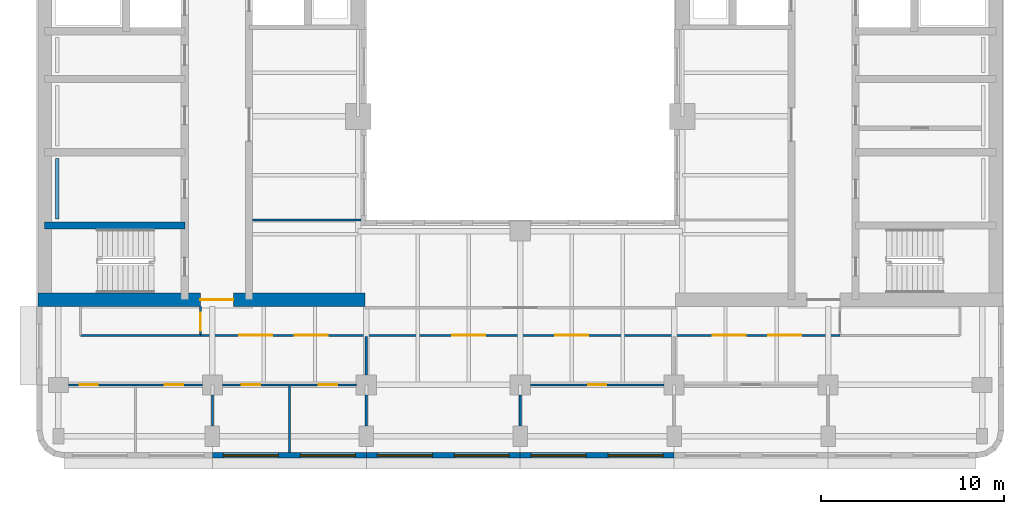
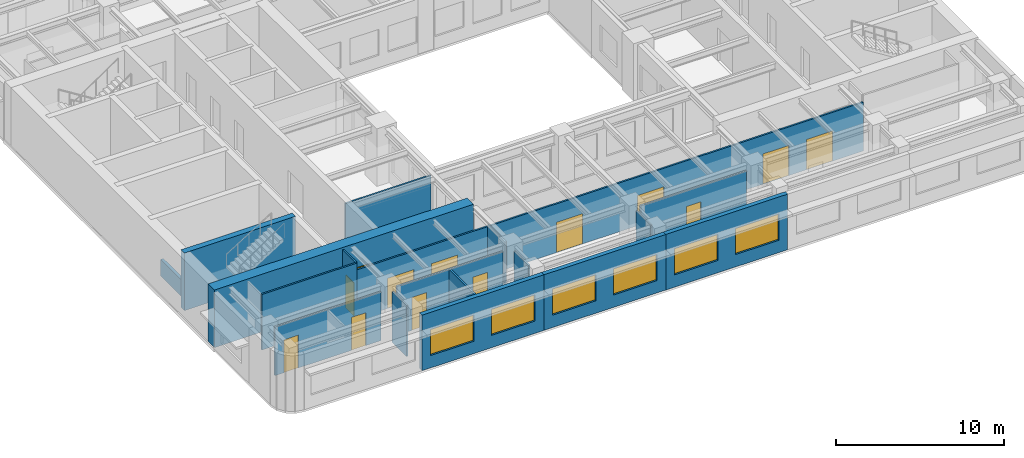
# One storey, part 3 of 11: 18 walls, 13 doors, 6 windows, 19 openings.
"""IFC4 building model written with IfcOpenShell, lengths in metres."""

from ifc_helpers import new_model, si_unit, direction, frame, frame_2d, origin, place, context, subcontext, project, spatial, rectangle, extrude, material, layer, layer_set, type_object, element, fill, save


model = new_model("IFC4")

# Units and contexts
model_context = context("Model", 3, precision=1e-05, world=origin(), true_north=direction((0.0, 1.0)))
body_context = subcontext(model_context, "Body", "Model", "MODEL_VIEW")
ifc_project = project(units=[si_unit("LENGTHUNIT", "METRE"), si_unit("AREAUNIT", "SQUARE_METRE"), si_unit("VOLUMEUNIT", "CUBIC_METRE"), si_unit("PLANEANGLEUNIT", "RADIAN"), si_unit("MASSUNIT", "GRAM", prefix="KILO")], contexts=[model_context])

# Site, building, storey
site_placement = place(None, origin())
site = spatial("IfcSite", under=ifc_project, at=site_placement, CompositionType="ELEMENT")
building_placement = place(site_placement, origin())
building = spatial("IfcBuilding", under=site, at=building_placement, Name="Claustro Exchange Tower", CompositionType="ELEMENT")
storey_placement = place(building_placement, frame((0.0, 0.0, 202.800048828125)))
storey = spatial("IfcBuildingStorey", under=building, at=storey_placement, Name="L46", CompositionType="ELEMENT", Elevation=202.800048828125)

# Wall
ifc_material_1 = material(Name="Laminated glass in aluminium frame", Category="aluminium")
ifc_layer_1 = layer(ifc_material_1, 0.1201171875)
ifc_layer_set_1 = layer_set([ifc_layer_1], Name="Laminated glass in aluminium frame")
wall_type_1 = type_object("IfcWallType", Name="P2 120 glazed partition", PredefinedType="PARTITIONING", material=ifc_layer_set_1)
wall_1_placement = place(storey_placement, frame((10.597900390625, 17.39990234375, 0.0), z_axis=(0.0, 0.0, 1.0), x_axis=(1.0, 0.0, 0.0)))
element("IfcWall", 1, at=wall_1_placement, inside=storey, type_object=wall_type_1, Name="Partition P2 L46", PredefinedType="PARTITIONING", context=body_context, shape_type="SweptSolid", body=[
    extrude(rectangle(XDim=5.904052734375, YDim=0.1201171875, at=frame_2d((2.9521484375, 0.0))), origin(), (0.0, 0.0, 1.0), 3.550048828125),
])

# Wall, openings, doors
wall_2_placement = place(storey_placement, frame((0.549072265625, 8.39990234375, 0.0), z_axis=(0.0, 0.0, 1.0), x_axis=(1.0, 0.0, 0.0)))
wall_2 = element("IfcWall", 2, at=wall_2_placement, inside=storey, type_object=wall_type_1, Name="Partition P2 L46", PredefinedType="PARTITIONING", context=body_context, shape_type="SweptSolid", body=[
    extrude(rectangle(XDim=7.302001953125, YDim=0.1201171875, at=frame_2d((3.65087890625, 0.0))), origin(), (0.0, 0.0, 1.0), 3.550048828125),
])
opening_1_placement = place(wall_2_placement, frame((0.60107421875, 0.0, 0.0)))
opening_1 = element("IfcOpeningElement", 3, at=opening_1_placement, cuts=wall_2, Name="Opening D7", PredefinedType="OPENING", context=body_context, shape_type="SweptSolid", body=[
    extrude(rectangle(XDim=1.0, YDim=2.39990234375, at=frame_2d((0.5, 1.199951171875))), frame((0.0, 0.070068359375, 0.0), z_axis=(0.0, -1.0, 0.0), x_axis=(1.0, 0.0, 0.0)), (0.0, 0.0, 1.0), 0.14013671875),
])
opening_2_placement = place(wall_2_placement, frame((5.2509765625, 0.0, 0.0)))
opening_2 = element("IfcOpeningElement", 4, at=opening_2_placement, cuts=wall_2, Name="Opening D7", PredefinedType="OPENING", context=body_context, shape_type="SweptSolid", body=[
    extrude(rectangle(XDim=1.0, YDim=2.39990234375, at=frame_2d((0.5, 1.199951171875))), frame((0.0, 0.070068359375, 0.0), z_axis=(0.0, -1.0, 0.0), x_axis=(1.0, 0.0, 0.0)), (0.0, 0.0, 1.0), 0.14013671875),
])
ifc_material_2 = material(Name="Glass door in aluminium frame", Category="aluminium")
door_type_1 = type_object("IfcDoorType", Name="D7 1000 x 2400 glazed door", OperationType="SINGLE_SWING_LEFT", PredefinedType="DOOR", material=ifc_material_2)
door_1_placement = place(opening_1_placement, frame((1.0, 0.0, 0.0), z_axis=(0.0, 0.0, 1.0), x_axis=(-1.0, 0.0, 0.0)))
door_1 = element("IfcDoor", 5, at=door_1_placement, inside=storey, type_object=door_type_1, Name="Door D7 L46", OperationType="SINGLE_SWING_LEFT", OverallHeight=2.39990234375, OverallWidth=1.0, PredefinedType="DOOR", context=body_context, shape_type="SweptSolid", body=[
    extrude(rectangle(XDim=1.0, YDim=2.39990234375, at=frame_2d((0.5, 1.199951171875))), frame((0.0, 0.02490234375, 0.0), z_axis=(0.0, -1.0, 0.0), x_axis=(1.0, 0.0, 0.0)), (0.0, 0.0, 1.0), 0.050048828125),
])
fill(opening_1, door_1)
door_2_placement = place(opening_2_placement, frame((1.0, 0.0, 0.0), z_axis=(0.0, 0.0, 1.0), x_axis=(-1.0, 0.0, 0.0)))
door_2 = element("IfcDoor", 6, at=door_2_placement, inside=storey, type_object=door_type_1, Name="Door D7 L46", OperationType="SINGLE_SWING_LEFT", OverallHeight=2.39990234375, OverallWidth=1.0, PredefinedType="DOOR", context=body_context, shape_type="SweptSolid", body=[
    extrude(rectangle(XDim=1.0, YDim=2.39990234375, at=frame_2d((0.5, 1.199951171875))), frame((0.0, 0.02490234375, 0.0), z_axis=(0.0, -1.0, 0.0), x_axis=(1.0, 0.0, 0.0)), (0.0, 0.0, 1.0), 0.050048828125),
])
fill(opening_2, door_2)

wall_3_placement = place(storey_placement, frame((8.948974609375, 8.39990234375, 0.0), z_axis=(0.0, 0.0, 1.0), x_axis=(1.0, 0.0, 0.0)))
wall_3 = element("IfcWall", 7, at=wall_3_placement, inside=storey, type_object=wall_type_1, Name="Partition P2 L46", PredefinedType="PARTITIONING", context=body_context, shape_type="SweptSolid", body=[
    extrude(rectangle(XDim=7.302001953125, YDim=0.1201171875, at=frame_2d((3.65087890625, 0.0))), origin(), (0.0, 0.0, 1.0), 3.550048828125),
])
opening_3_placement = place(wall_3_placement, frame((1.051025390625, 0.0, 0.0)))
opening_3 = element("IfcOpeningElement", 8, at=opening_3_placement, cuts=wall_3, Name="Opening D7", PredefinedType="OPENING", context=body_context, shape_type="SweptSolid", body=[
    extrude(rectangle(XDim=1.0, YDim=2.39990234375, at=frame_2d((0.5, 1.199951171875))), frame((0.0, 0.070068359375, 0.0), z_axis=(0.0, -1.0, 0.0), x_axis=(1.0, 0.0, 0.0)), (0.0, 0.0, 1.0), 0.14013671875),
])
opening_4_placement = place(wall_3_placement, frame((5.2509765625, 0.0, 0.0)))
opening_4 = element("IfcOpeningElement", 9, at=opening_4_placement, cuts=wall_3, Name="Opening D7", PredefinedType="OPENING", context=body_context, shape_type="SweptSolid", body=[
    extrude(rectangle(XDim=1.0, YDim=2.39990234375, at=frame_2d((0.5, 1.199951171875))), frame((0.0, 0.070068359375, 0.0), z_axis=(0.0, -1.0, 0.0), x_axis=(1.0, 0.0, 0.0)), (0.0, 0.0, 1.0), 0.14013671875),
])
door_3_placement = place(opening_3_placement, frame((1.0, 0.0, 0.0), z_axis=(0.0, 0.0, 1.0), x_axis=(-1.0, 0.0, 0.0)))
door_3 = element("IfcDoor", 10, at=door_3_placement, inside=storey, type_object=door_type_1, Name="Door D7 L46", OperationType="SINGLE_SWING_RIGHT", OverallHeight=2.39990234375, OverallWidth=1.0, PredefinedType="DOOR", context=body_context, shape_type="SweptSolid", body=[
    extrude(rectangle(XDim=1.0, YDim=2.39990234375, at=frame_2d((0.5, 1.199951171875))), frame((0.0, 0.02490234375, 0.0), z_axis=(0.0, -1.0, 0.0), x_axis=(1.0, 0.0, 0.0)), (0.0, 0.0, 1.0), 0.050048828125),
])
fill(opening_3, door_3)
door_4_placement = place(opening_4_placement, frame((1.0, 0.0, 0.0), z_axis=(0.0, 0.0, 1.0), x_axis=(-1.0, 0.0, 0.0)))
door_4 = element("IfcDoor", 11, at=door_4_placement, inside=storey, type_object=door_type_1, Name="Door D7 L46", OperationType="SINGLE_SWING_RIGHT", OverallHeight=2.39990234375, OverallWidth=1.0, PredefinedType="DOOR", context=body_context, shape_type="SweptSolid", body=[
    extrude(rectangle(XDim=1.0, YDim=2.39990234375, at=frame_2d((0.5, 1.199951171875))), frame((0.0, 0.02490234375, 0.0), z_axis=(0.0, -1.0, 0.0), x_axis=(1.0, 0.0, 0.0)), (0.0, 0.0, 1.0), 0.050048828125),
])
fill(opening_4, door_4)

# Walls
wall_4_placement = place(storey_placement, frame((8.39990234375, 6.14892578125, 0.0), z_axis=(0.0, 0.0, 1.0), x_axis=(0.0, 1.0, 0.0)))
element("IfcWall", 12, at=wall_4_placement, inside=storey, type_object=wall_type_1, Name="Partition P2 L46", PredefinedType="PARTITIONING", context=body_context, shape_type="SweptSolid", body=[
    extrude(rectangle(XDim=1.7021484375, YDim=0.1201171875, at=frame_2d((0.85107421875, 0.0))), origin(), (0.0, 0.0, 1.0), 3.68994140625),
])
wall_5_placement = place(storey_placement, frame((12.60009765625, 4.699951171875, 0.0), z_axis=(0.0, 0.0, 1.0), x_axis=(0.0, 1.0, 0.0)))
element("IfcWall", 13, at=wall_5_placement, inside=storey, type_object=wall_type_1, Name="Partition P2 L46", PredefinedType="PARTITIONING", context=body_context, shape_type="SweptSolid", body=[
    extrude(rectangle(XDim=3.64208984375, YDim=0.1201171875, at=frame_2d((1.821044921875, 0.0))), origin(), (0.0, 0.0, 1.0), 3.550048828125),
])
wall_6_placement = place(storey_placement, frame((16.800048828125, 6.14892578125, 0.0), z_axis=(0.0, 0.0, 1.0), x_axis=(0.0, 1.0, 0.0)))
element("IfcWall", 14, at=wall_6_placement, inside=storey, type_object=wall_type_1, Name="Partition P2 L46", PredefinedType="PARTITIONING", context=body_context, shape_type="SweptSolid", body=[
    extrude(rectangle(XDim=1.7021484375, YDim=0.1201171875, at=frame_2d((0.85107421875, 0.0))), origin(), (0.0, 0.0, 1.0), 3.68994140625),
])

# Wall, opening, door
wall_7_placement = place(storey_placement, frame((25.7490234375, 8.39990234375, 0.0), z_axis=(0.0, 0.0, 1.0), x_axis=(1.0, 0.0, 0.0)))
wall_7 = element("IfcWall", 15, at=wall_7_placement, inside=storey, type_object=wall_type_1, Name="Partition P2 L46", PredefinedType="PARTITIONING", context=body_context, shape_type="SweptSolid", body=[
    extrude(rectangle(XDim=7.302001953125, YDim=0.1201171875, at=frame_2d((3.65087890625, 0.0))), origin(), (0.0, 0.0, 1.0), 3.550048828125),
])
opening_5_placement = place(wall_7_placement, frame((3.15087890625, 0.0, 0.0)))
opening_5 = element("IfcOpeningElement", 16, at=opening_5_placement, cuts=wall_7, Name="Opening D7", PredefinedType="OPENING", context=body_context, shape_type="SweptSolid", body=[
    extrude(rectangle(XDim=1.0, YDim=2.39990234375, at=frame_2d((0.5, 1.199951171875))), frame((0.0, 0.070068359375, 0.0), z_axis=(0.0, -1.0, 0.0), x_axis=(1.0, 0.0, 0.0)), (0.0, 0.0, 1.0), 0.14013671875),
])
door_5_placement = place(opening_5_placement, frame((1.0, 0.0, 0.0), z_axis=(0.0, 0.0, 1.0), x_axis=(-1.0, 0.0, 0.0)))
door_5 = element("IfcDoor", 17, at=door_5_placement, inside=storey, type_object=door_type_1, Name="Door D7 L46", OperationType="SINGLE_SWING_RIGHT", OverallHeight=2.39990234375, OverallWidth=1.0, PredefinedType="DOOR", context=body_context, shape_type="SweptSolid", body=[
    extrude(rectangle(XDim=1.0, YDim=2.39990234375, at=frame_2d((0.5, 1.199951171875))), frame((0.0, 0.02490234375, 0.0), z_axis=(0.0, -1.0, 0.0), x_axis=(1.0, 0.0, 0.0)), (0.0, 0.0, 1.0), 0.050048828125),
])
fill(opening_5, door_5)

# Walls
wall_8_placement = place(storey_placement, frame((25.199951171875, 6.14892578125, 0.0), z_axis=(0.0, 0.0, 1.0), x_axis=(0.0, 1.0, 0.0)))
element("IfcWall", 18, at=wall_8_placement, inside=storey, type_object=wall_type_1, Name="Partition P2 L46", PredefinedType="PARTITIONING", context=body_context, shape_type="SweptSolid", body=[
    extrude(rectangle(XDim=1.7021484375, YDim=0.1201171875, at=frame_2d((0.85107421875, 0.0))), origin(), (0.0, 0.0, 1.0), 3.68994140625),
])
wall_9_placement = place(storey_placement, frame((16.800048828125, 8.948974609375, 0.0), z_axis=(0.0, 0.0, 1.0), x_axis=(0.0, 1.0, 0.0)))
element("IfcWall", 19, at=wall_9_placement, inside=storey, type_object=wall_type_1, Name="Partition P2 L46", PredefinedType="PARTITIONING", context=body_context, shape_type="SweptSolid", body=[
    extrude(rectangle(XDim=2.093017578125, YDim=0.1201171875, at=frame_2d((1.04638671875, 0.0))), origin(), (0.0, 0.0, 1.0), 3.68994140625),
])

# Wall, openings, doors
wall_10_placement = place(storey_placement, frame((7.748046875, 11.10009765625, 0.0), z_axis=(0.0, 0.0, 1.0), x_axis=(1.0, 0.0, 0.0)))
wall_10 = element("IfcWall", 20, at=wall_10_placement, inside=storey, type_object=wall_type_1, Name="Partition P2 L46", PredefinedType="PARTITIONING", context=body_context, shape_type="SweptSolid", body=[
    extrude(rectangle(XDim=34.904052734375, YDim=0.1201171875, at=frame_2d((17.4521484375, 0.0))), origin(), (0.0, 0.0, 1.0), 3.550048828125),
])
opening_6_placement = place(wall_10_placement, frame((2.11865234375, 0.0, 0.0)))
opening_6 = element("IfcOpeningElement", 21, at=opening_6_placement, cuts=wall_10, Name="Opening D2", PredefinedType="OPENING", context=body_context, shape_type="SweptSolid", body=[
    extrude(rectangle(XDim=1.800048828125, YDim=2.199951171875, at=frame_2d((0.89990234375, 1.10009765625))), frame((0.0, 0.070068359375, 0.0), z_axis=(0.0, -1.0, 0.0), x_axis=(1.0, 0.0, 0.0)), (0.0, 0.0, 1.0), 0.14013671875),
])
opening_7_placement = place(wall_10_placement, frame((5.13525390625, 0.0, 0.0)))
opening_7 = element("IfcOpeningElement", 22, at=opening_7_placement, cuts=wall_10, Name="Opening D2", PredefinedType="OPENING", context=body_context, shape_type="SweptSolid", body=[
    extrude(rectangle(XDim=1.800048828125, YDim=2.199951171875, at=frame_2d((0.89990234375, 1.10009765625))), frame((0.0, 0.070068359375, 0.0), z_axis=(0.0, -1.0, 0.0), x_axis=(1.0, 0.0, 0.0)), (0.0, 0.0, 1.0), 0.14013671875),
])
opening_8_placement = place(wall_10_placement, frame((13.751953125, 0.0, 0.0)))
opening_8 = element("IfcOpeningElement", 23, at=opening_8_placement, cuts=wall_10, Name="Opening D2", PredefinedType="OPENING", context=body_context, shape_type="SweptSolid", body=[
    extrude(rectangle(XDim=1.800048828125, YDim=2.199951171875, at=frame_2d((0.89990234375, 1.10009765625))), frame((0.0, 0.070068359375, 0.0), z_axis=(0.0, -1.0, 0.0), x_axis=(1.0, 0.0, 0.0)), (0.0, 0.0, 1.0), 0.14013671875),
])
opening_9_placement = place(wall_10_placement, frame((19.35205078125, 0.0, 0.0)))
opening_9 = element("IfcOpeningElement", 24, at=opening_9_placement, cuts=wall_10, Name="Opening D2", PredefinedType="OPENING", context=body_context, shape_type="SweptSolid", body=[
    extrude(rectangle(XDim=1.800048828125, YDim=2.199951171875, at=frame_2d((0.89990234375, 1.10009765625))), frame((0.0, 0.070068359375, 0.0), z_axis=(0.0, -1.0, 0.0), x_axis=(1.0, 0.0, 0.0)), (0.0, 0.0, 1.0), 0.14013671875),
])
opening_10_placement = place(wall_10_placement, frame((27.96875, 0.0, 0.0)))
opening_10 = element("IfcOpeningElement", 25, at=opening_10_placement, cuts=wall_10, Name="Opening D2", PredefinedType="OPENING", context=body_context, shape_type="SweptSolid", body=[
    extrude(rectangle(XDim=1.800048828125, YDim=2.199951171875, at=frame_2d((0.89990234375, 1.10009765625))), frame((0.0, 0.070068359375, 0.0), z_axis=(0.0, -1.0, 0.0), x_axis=(1.0, 0.0, 0.0)), (0.0, 0.0, 1.0), 0.14013671875),
])
opening_11_placement = place(wall_10_placement, frame((30.9853515625, 0.0, 0.0)))
opening_11 = element("IfcOpeningElement", 26, at=opening_11_placement, cuts=wall_10, Name="Opening D2", PredefinedType="OPENING", context=body_context, shape_type="SweptSolid", body=[
    extrude(rectangle(XDim=1.800048828125, YDim=2.199951171875, at=frame_2d((0.89990234375, 1.10009765625))), frame((0.0, 0.070068359375, 0.0), z_axis=(0.0, -1.0, 0.0), x_axis=(1.0, 0.0, 0.0)), (0.0, 0.0, 1.0), 0.14013671875),
])
ifc_material_3 = material(Name="Timber door, oak veneer", Category="wood")
door_type_2 = type_object("IfcDoorType", Name="D2 1800 x 2200 double door", OperationType="DOUBLE_DOOR_SINGLE_SWING", PredefinedType="DOOR", material=ifc_material_3)
door_6_placement = place(opening_6_placement, frame((1.800048828125, 0.0, 0.0), z_axis=(0.0, 0.0, 1.0), x_axis=(-1.0, 0.0, 0.0)))
door_6 = element("IfcDoor", 27, at=door_6_placement, inside=storey, type_object=door_type_2, Name="Double door D2 L46", OperationType="DOUBLE_DOOR_SINGLE_SWING", OverallHeight=2.199951171875, OverallWidth=1.800048828125, PredefinedType="DOOR", context=body_context, shape_type="SweptSolid", body=[
    extrude(rectangle(XDim=1.800048828125, YDim=2.199951171875, at=frame_2d((0.89990234375, 1.10009765625))), frame((0.0, 0.02490234375, 0.0), z_axis=(0.0, -1.0, 0.0), x_axis=(1.0, 0.0, 0.0)), (0.0, 0.0, 1.0), 0.050048828125),
])
fill(opening_6, door_6)
door_7_placement = place(opening_7_placement, frame((1.800048828125, 0.0, 0.0), z_axis=(0.0, 0.0, 1.0), x_axis=(-1.0, 0.0, 0.0)))
door_7 = element("IfcDoor", 28, at=door_7_placement, inside=storey, type_object=door_type_2, Name="Double door D2 L46", OperationType="DOUBLE_DOOR_SINGLE_SWING", OverallHeight=2.199951171875, OverallWidth=1.800048828125, PredefinedType="DOOR", context=body_context, shape_type="SweptSolid", body=[
    extrude(rectangle(XDim=1.800048828125, YDim=2.199951171875, at=frame_2d((0.89990234375, 1.10009765625))), frame((0.0, 0.02490234375, 0.0), z_axis=(0.0, -1.0, 0.0), x_axis=(1.0, 0.0, 0.0)), (0.0, 0.0, 1.0), 0.050048828125),
])
fill(opening_7, door_7)
door_8_placement = place(opening_8_placement, frame((1.800048828125, 0.0, 0.0), z_axis=(0.0, 0.0, 1.0), x_axis=(-1.0, 0.0, 0.0)))
door_8 = element("IfcDoor", 29, at=door_8_placement, inside=storey, type_object=door_type_2, Name="Double door D2 L46", OperationType="DOUBLE_DOOR_SINGLE_SWING", OverallHeight=2.199951171875, OverallWidth=1.800048828125, PredefinedType="DOOR", context=body_context, shape_type="SweptSolid", body=[
    extrude(rectangle(XDim=1.800048828125, YDim=2.199951171875, at=frame_2d((0.89990234375, 1.10009765625))), frame((0.0, 0.02490234375, 0.0), z_axis=(0.0, -1.0, 0.0), x_axis=(1.0, 0.0, 0.0)), (0.0, 0.0, 1.0), 0.050048828125),
])
fill(opening_8, door_8)
door_9_placement = place(opening_9_placement, frame((1.800048828125, 0.0, 0.0), z_axis=(0.0, 0.0, 1.0), x_axis=(-1.0, 0.0, 0.0)))
door_9 = element("IfcDoor", 30, at=door_9_placement, inside=storey, type_object=door_type_2, Name="Double door D2 L46", OperationType="DOUBLE_DOOR_SINGLE_SWING", OverallHeight=2.199951171875, OverallWidth=1.800048828125, PredefinedType="DOOR", context=body_context, shape_type="SweptSolid", body=[
    extrude(rectangle(XDim=1.800048828125, YDim=2.199951171875, at=frame_2d((0.89990234375, 1.10009765625))), frame((0.0, 0.02490234375, 0.0), z_axis=(0.0, -1.0, 0.0), x_axis=(1.0, 0.0, 0.0)), (0.0, 0.0, 1.0), 0.050048828125),
])
fill(opening_9, door_9)
door_10_placement = place(opening_10_placement, frame((1.800048828125, 0.0, 0.0), z_axis=(0.0, 0.0, 1.0), x_axis=(-1.0, 0.0, 0.0)))
door_10 = element("IfcDoor", 31, at=door_10_placement, inside=storey, type_object=door_type_2, Name="Double door D2 L46", OperationType="DOUBLE_DOOR_SINGLE_SWING", OverallHeight=2.199951171875, OverallWidth=1.800048828125, PredefinedType="DOOR", context=body_context, shape_type="SweptSolid", body=[
    extrude(rectangle(XDim=1.800048828125, YDim=2.199951171875, at=frame_2d((0.89990234375, 1.10009765625))), frame((0.0, 0.02490234375, 0.0), z_axis=(0.0, -1.0, 0.0), x_axis=(1.0, 0.0, 0.0)), (0.0, 0.0, 1.0), 0.050048828125),
])
fill(opening_10, door_10)
door_11_placement = place(opening_11_placement, frame((1.800048828125, 0.0, 0.0), z_axis=(0.0, 0.0, 1.0), x_axis=(-1.0, 0.0, 0.0)))
door_11 = element("IfcDoor", 32, at=door_11_placement, inside=storey, type_object=door_type_2, Name="Double door D2 L46", OperationType="DOUBLE_DOOR_SINGLE_SWING", OverallHeight=2.199951171875, OverallWidth=1.800048828125, PredefinedType="DOOR", context=body_context, shape_type="SweptSolid", body=[
    extrude(rectangle(XDim=1.800048828125, YDim=2.199951171875, at=frame_2d((0.89990234375, 1.10009765625))), frame((0.0, 0.02490234375, 0.0), z_axis=(0.0, -1.0, 0.0), x_axis=(1.0, 0.0, 0.0)), (0.0, 0.0, 1.0), 0.050048828125),
])
fill(opening_11, door_11)

# Wall, opening, door
wall_11_placement = place(storey_placement, frame((7.75, 11.157958984375, 0.0), z_axis=(0.0, 0.0, 1.0), x_axis=(0.0, 1.0, 0.0)))
wall_11 = element("IfcWall", 33, at=wall_11_placement, inside=storey, type_object=wall_type_1, Name="Partition P2 L46", PredefinedType="PARTITIONING", context=body_context, shape_type="SweptSolid", body=[
    extrude(rectangle(XDim=1.51806640625, YDim=0.1201171875, at=frame_2d((0.759033203125, 0.0))), origin(), (0.0, 0.0, 1.0), 4.050048828125),
])
opening_12_placement = place(wall_11_placement, frame((0.19189453125, 0.0, 0.0)))
opening_12 = element("IfcOpeningElement", 34, at=opening_12_placement, cuts=wall_11, Name="Opening D7", PredefinedType="OPENING", context=body_context, shape_type="SweptSolid", body=[
    extrude(rectangle(XDim=1.0, YDim=2.39990234375, at=frame_2d((0.5, 1.199951171875))), frame((0.0, 0.070068359375, 0.0), z_axis=(0.0, -1.0, 0.0), x_axis=(1.0, 0.0, 0.0)), (0.0, 0.0, 1.0), 0.14013671875),
])
door_12_placement = place(opening_12_placement, origin())
door_12 = element("IfcDoor", 35, at=door_12_placement, inside=storey, type_object=door_type_1, Name="Door D7 L46", OperationType="SINGLE_SWING_LEFT", OverallHeight=2.39990234375, OverallWidth=1.0, PredefinedType="DOOR", context=body_context, shape_type="SweptSolid", body=[
    extrude(rectangle(XDim=1.0, YDim=2.39990234375, at=frame_2d((0.5, 1.199951171875))), frame((0.0, 0.02490234375, 0.0), z_axis=(0.0, -1.0, 0.0), x_axis=(1.0, 0.0, 0.0)), (0.0, 0.0, 1.0), 0.050048828125),
])
fill(opening_12, door_12)

# Wall
wall_12_placement = place(storey_placement, frame((1.199951171875, 11.10009765625, 0.0), z_axis=(0.0, 0.0, 1.0), x_axis=(1.0, 0.0, 0.0)))
element("IfcWall", 36, at=wall_12_placement, inside=storey, type_object=wall_type_1, Name="Partition P2 L46", PredefinedType="PARTITIONING", context=body_context, shape_type="SweptSolid", body=[
    extrude(rectangle(XDim=6.552001953125, YDim=0.1201171875, at=frame_2d((3.27587890625, 0.0))), origin(), (0.0, 0.0, 1.0), 4.050048828125),
])

# Wall, openings, windows
ifc_material_4 = material(Name="Concrete HA-40 (C40/50), precast, white cement, acid-etched", Category="concrete")
ifc_layer_2 = layer(ifc_material_4, 0.300048828125)
ifc_layer_set_2 = layer_set([ifc_layer_2], Name="Concrete HA-40 (C40/50), precast, white cement, acid-etched")
wall_type_2 = type_object("IfcWallType", Name="PC1 300 precast concrete pier panel", PredefinedType="SOLIDWALL", material=ifc_layer_set_2)
wall_13_placement = place(storey_placement, frame((33.60009765625, 4.550048828125, 0.0), z_axis=(0.0, 0.0, 1.0), x_axis=(-1.0, 0.0, 0.0)))
wall_13 = element("IfcWall", 37, at=wall_13_placement, inside=storey, type_object=wall_type_2, Name="Precast pier panel PC1 L46", PredefinedType="SOLIDWALL", context=body_context, shape_type="SweptSolid", body=[
    extrude(rectangle(XDim=8.400146484375, YDim=0.300048828125, at=frame_2d((4.2001953125, 0.0))), origin(), (0.0, 0.0, 1.0), 4.050048828125),
])
opening_13_placement = place(wall_13_placement, frame((0.60009765625, 0.0, 0.89990234375)))
opening_13 = element("IfcOpeningElement", 38, at=opening_13_placement, cuts=wall_13, Name="Opening W1", PredefinedType="OPENING", context=body_context, shape_type="SweptSolid", body=[
    extrude(rectangle(XDim=3.0, YDim=1.89990234375, at=frame_2d((1.5, 0.949951171875))), frame((0.0, 0.159912109375, 0.0), z_axis=(0.0, -1.0, 0.0), x_axis=(1.0, 0.0, 0.0)), (0.0, 0.0, 1.0), 0.320068359375),
])
opening_14_placement = place(wall_13_placement, frame((4.800048828125, 0.0, 0.89990234375)))
opening_14 = element("IfcOpeningElement", 39, at=opening_14_placement, cuts=wall_13, Name="Opening W1", PredefinedType="OPENING", context=body_context, shape_type="SweptSolid", body=[
    extrude(rectangle(XDim=3.0, YDim=1.89990234375, at=frame_2d((1.5, 0.949951171875))), frame((0.0, 0.159912109375, 0.0), z_axis=(0.0, -1.0, 0.0), x_axis=(1.0, 0.0, 0.0)), (0.0, 0.0, 1.0), 0.320068359375),
])
ifc_material_5 = material(Name="Aluminium frame, clear double glazing", Category="aluminium")
window_type = type_object("IfcWindowType", Name="W1 3000 x 1900 window", PartitioningType="SINGLE_PANEL", PredefinedType="WINDOW", material=ifc_material_5)
window_1_placement = place(opening_13_placement, origin())
window_1 = element("IfcWindow", 40, at=window_1_placement, inside=storey, type_object=window_type, Name="Window W1 L46", OverallHeight=1.89990234375, OverallWidth=3.0, PartitioningType="SINGLE_PANEL", PredefinedType="WINDOW", context=body_context, shape_type="SweptSolid", body=[
    extrude(rectangle(XDim=3.0, YDim=1.89990234375, at=frame_2d((1.5, 0.949951171875))), frame((0.0, 0.030029296875, 0.0), z_axis=(0.0, -1.0, 0.0), x_axis=(1.0, 0.0, 0.0)), (0.0, 0.0, 1.0), 0.06005859375),
])
fill(opening_13, window_1)
window_2_placement = place(opening_14_placement, origin())
window_2 = element("IfcWindow", 41, at=window_2_placement, inside=storey, type_object=window_type, Name="Window W1 L46", OverallHeight=1.89990234375, OverallWidth=3.0, PartitioningType="SINGLE_PANEL", PredefinedType="WINDOW", context=body_context, shape_type="SweptSolid", body=[
    extrude(rectangle(XDim=3.0, YDim=1.89990234375, at=frame_2d((1.5, 0.949951171875))), frame((0.0, 0.030029296875, 0.0), z_axis=(0.0, -1.0, 0.0), x_axis=(1.0, 0.0, 0.0)), (0.0, 0.0, 1.0), 0.06005859375),
])
fill(opening_14, window_2)

wall_14_placement = place(storey_placement, frame((25.199951171875, 4.550048828125, 0.0), z_axis=(0.0, 0.0, 1.0), x_axis=(-1.0, 0.0, 0.0)))
wall_14 = element("IfcWall", 42, at=wall_14_placement, inside=storey, type_object=wall_type_2, Name="Precast pier panel PC1 L46", PredefinedType="SOLIDWALL", context=body_context, shape_type="SweptSolid", body=[
    extrude(rectangle(XDim=8.39990234375, YDim=0.300048828125, at=frame_2d((4.199951171875, 0.0))), origin(), (0.0, 0.0, 1.0), 4.050048828125),
])
opening_15_placement = place(wall_14_placement, frame((0.60009765625, 0.0, 0.89990234375)))
opening_15 = element("IfcOpeningElement", 43, at=opening_15_placement, cuts=wall_14, Name="Opening W1", PredefinedType="OPENING", context=body_context, shape_type="SweptSolid", body=[
    extrude(rectangle(XDim=3.0, YDim=1.89990234375, at=frame_2d((1.5, 0.949951171875))), frame((0.0, 0.159912109375, 0.0), z_axis=(0.0, -1.0, 0.0), x_axis=(1.0, 0.0, 0.0)), (0.0, 0.0, 1.0), 0.320068359375),
])
opening_16_placement = place(wall_14_placement, frame((4.800048828125, 0.0, 0.89990234375)))
opening_16 = element("IfcOpeningElement", 44, at=opening_16_placement, cuts=wall_14, Name="Opening W1", PredefinedType="OPENING", context=body_context, shape_type="SweptSolid", body=[
    extrude(rectangle(XDim=3.0, YDim=1.89990234375, at=frame_2d((1.5, 0.949951171875))), frame((0.0, 0.159912109375, 0.0), z_axis=(0.0, -1.0, 0.0), x_axis=(1.0, 0.0, 0.0)), (0.0, 0.0, 1.0), 0.320068359375),
])
window_3_placement = place(opening_15_placement, origin())
window_3 = element("IfcWindow", 45, at=window_3_placement, inside=storey, type_object=window_type, Name="Window W1 L46", OverallHeight=1.89990234375, OverallWidth=3.0, PartitioningType="SINGLE_PANEL", PredefinedType="WINDOW", context=body_context, shape_type="SweptSolid", body=[
    extrude(rectangle(XDim=3.0, YDim=1.89990234375, at=frame_2d((1.5, 0.949951171875))), frame((0.0, 0.030029296875, 0.0), z_axis=(0.0, -1.0, 0.0), x_axis=(1.0, 0.0, 0.0)), (0.0, 0.0, 1.0), 0.06005859375),
])
fill(opening_15, window_3)
window_4_placement = place(opening_16_placement, origin())
window_4 = element("IfcWindow", 46, at=window_4_placement, inside=storey, type_object=window_type, Name="Window W1 L46", OverallHeight=1.89990234375, OverallWidth=3.0, PartitioningType="SINGLE_PANEL", PredefinedType="WINDOW", context=body_context, shape_type="SweptSolid", body=[
    extrude(rectangle(XDim=3.0, YDim=1.89990234375, at=frame_2d((1.5, 0.949951171875))), frame((0.0, 0.030029296875, 0.0), z_axis=(0.0, -1.0, 0.0), x_axis=(1.0, 0.0, 0.0)), (0.0, 0.0, 1.0), 0.06005859375),
])
fill(opening_16, window_4)

wall_15_placement = place(storey_placement, frame((16.800048828125, 4.550048828125, 0.0), z_axis=(0.0, 0.0, 1.0), x_axis=(-1.0, 0.0, 0.0)))
wall_15 = element("IfcWall", 47, at=wall_15_placement, inside=storey, type_object=wall_type_2, Name="Precast pier panel PC1 L46", PredefinedType="SOLIDWALL", context=body_context, shape_type="SweptSolid", body=[
    extrude(rectangle(XDim=8.400146484375, YDim=0.300048828125, at=frame_2d((4.2001953125, 0.0))), origin(), (0.0, 0.0, 1.0), 4.050048828125),
])
opening_17_placement = place(wall_15_placement, frame((0.60009765625, 0.0, 0.89990234375)))
opening_17 = element("IfcOpeningElement", 48, at=opening_17_placement, cuts=wall_15, Name="Opening W1", PredefinedType="OPENING", context=body_context, shape_type="SweptSolid", body=[
    extrude(rectangle(XDim=3.0, YDim=1.89990234375, at=frame_2d((1.5, 0.949951171875))), frame((0.0, 0.159912109375, 0.0), z_axis=(0.0, -1.0, 0.0), x_axis=(1.0, 0.0, 0.0)), (0.0, 0.0, 1.0), 0.320068359375),
])
opening_18_placement = place(wall_15_placement, frame((4.800048828125, 0.0, 0.89990234375)))
opening_18 = element("IfcOpeningElement", 49, at=opening_18_placement, cuts=wall_15, Name="Opening W1", PredefinedType="OPENING", context=body_context, shape_type="SweptSolid", body=[
    extrude(rectangle(XDim=3.0, YDim=1.89990234375, at=frame_2d((1.5, 0.949951171875))), frame((0.0, 0.159912109375, 0.0), z_axis=(0.0, -1.0, 0.0), x_axis=(1.0, 0.0, 0.0)), (0.0, 0.0, 1.0), 0.320068359375),
])
window_5_placement = place(opening_17_placement, origin())
window_5 = element("IfcWindow", 50, at=window_5_placement, inside=storey, type_object=window_type, Name="Window W1 L46", OverallHeight=1.89990234375, OverallWidth=3.0, PartitioningType="SINGLE_PANEL", PredefinedType="WINDOW", context=body_context, shape_type="SweptSolid", body=[
    extrude(rectangle(XDim=3.0, YDim=1.89990234375, at=frame_2d((1.5, 0.949951171875))), frame((0.0, 0.030029296875, 0.0), z_axis=(0.0, -1.0, 0.0), x_axis=(1.0, 0.0, 0.0)), (0.0, 0.0, 1.0), 0.06005859375),
])
fill(opening_17, window_5)
window_6_placement = place(opening_18_placement, origin())
window_6 = element("IfcWindow", 51, at=window_6_placement, inside=storey, type_object=window_type, Name="Window W1 L46", OverallHeight=1.89990234375, OverallWidth=3.0, PartitioningType="SINGLE_PANEL", PredefinedType="WINDOW", context=body_context, shape_type="SweptSolid", body=[
    extrude(rectangle(XDim=3.0, YDim=1.89990234375, at=frame_2d((1.5, 0.949951171875))), frame((0.0, 0.030029296875, 0.0), z_axis=(0.0, -1.0, 0.0), x_axis=(1.0, 0.0, 0.0)), (0.0, 0.0, 1.0), 0.06005859375),
])
fill(opening_18, window_6)

# Wall
ifc_material_6 = material(Name="Gypsum board on steel studs, tiled", Category="steel")
ifc_layer_3 = layer(ifc_material_6, 0.199951171875)
ifc_layer_set_3 = layer_set([ifc_layer_3], Name="Gypsum board on steel studs, tiled")
wall_type_3 = type_object("IfcWallType", Name="PW1 200 WC duct wall", PredefinedType="PLUMBINGWALL", material=ifc_layer_set_3)
wall_16_placement = place(storey_placement, frame((-0.074951171875, 17.449951171875, 0.0), z_axis=(0.0, 0.0, 1.0), x_axis=(0.0, 1.0, 0.0)))
element("IfcWall", 52, at=wall_16_placement, inside=storey, type_object=wall_type_3, Name="WC duct wall PW1 L46", PredefinedType="PLUMBINGWALL", context=body_context, shape_type="SweptSolid", body=[
    extrude(rectangle(XDim=3.300048828125, YDim=0.199951171875, at=frame_2d((1.64990234375, 0.0))), origin(), (0.0, 0.0, 1.0), 1.199951171875),
])

# Wall, opening, door
ifc_material_7 = material(Name="Concrete HA-70 (C70/85)", Category="concrete")
ifc_layer_4 = layer(ifc_material_7, 0.75)
ifc_layer_set_4 = layer_set([ifc_layer_4], Name="Concrete HA-70 (C70/85)")
wall_type_4 = type_object("IfcWallType", Name="SW2 750 core shear wall", PredefinedType="SHEAR", material=ifc_layer_set_4)
wall_17_placement = place(storey_placement, frame((-1.125, 13.050048828125, 0.0), z_axis=(0.0, 0.0, 1.0), x_axis=(1.0, 0.0, 0.0)))
wall_17 = element("IfcWall", 53, at=wall_17_placement, inside=storey, type_object=wall_type_4, Name="Core wall SW2 W core S face L46", PredefinedType="SHEAR", context=body_context, shape_type="SweptSolid", body=[
    extrude(rectangle(XDim=17.85009765625, YDim=0.75, at=frame_2d((8.925048828125, 0.0))), origin(), (0.0, 0.0, 1.0), 4.199951171875),
])
opening_19_placement = place(wall_17_placement, frame((8.875, 0.0, 0.0)))
opening_19 = element("IfcOpeningElement", 54, at=opening_19_placement, cuts=wall_17, Name="Opening D3", PredefinedType="OPENING", context=body_context, shape_type="SweptSolid", body=[
    extrude(rectangle(XDim=1.800048828125, YDim=2.39990234375, at=frame_2d((0.89990234375, 1.199951171875))), frame((0.0, 0.385009765625, 0.0), z_axis=(0.0, -1.0, 0.0), x_axis=(1.0, 0.0, 0.0)), (0.0, 0.0, 1.0), 0.77001953125),
])
ifc_material_8 = material(Name="Steel fire door, painted", Category="steel")
door_type_3 = type_object("IfcDoorType", Name="D3 1800 x 2400 fire-rated lobby double door", OperationType="DOUBLE_DOOR_SINGLE_SWING", PredefinedType="DOOR", material=ifc_material_8)
door_13_placement = place(opening_19_placement, origin())
door_13 = element("IfcDoor", 55, at=door_13_placement, inside=storey, type_object=door_type_3, Name="Lift lobby door D3 L46", OperationType="DOUBLE_DOOR_SINGLE_SWING", OverallHeight=2.39990234375, OverallWidth=1.800048828125, PredefinedType="DOOR", context=body_context, shape_type="SweptSolid", body=[
    extrude(rectangle(XDim=1.800048828125, YDim=2.39990234375, at=frame_2d((0.89990234375, 1.199951171875))), frame((0.0, 0.02490234375, 0.0), z_axis=(0.0, -1.0, 0.0), x_axis=(1.0, 0.0, 0.0)), (0.0, 0.0, 1.0), 0.050048828125),
])
fill(opening_19, door_13)

# Wall
ifc_material_9 = material(Name="Concrete HA-50 (C50/60)", Category="concrete")
ifc_layer_5 = layer(ifc_material_9, 0.39990234375)
ifc_layer_set_5 = layer_set([ifc_layer_5], Name="Concrete HA-50 (C50/60)")
wall_type_5 = type_object("IfcWallType", Name="SW4 400 internal core wall", PredefinedType="SHEAR", material=ifc_layer_set_5)
wall_18_placement = place(storey_placement, frame((-0.75, 17.10009765625, 0.0), z_axis=(0.0, 0.0, 1.0), x_axis=(1.0, 0.0, 0.0)))
element("IfcWall", 56, at=wall_18_placement, inside=storey, type_object=wall_type_5, Name="Internal core wall SW4 W core L46", PredefinedType="SHEAR", context=body_context, shape_type="SweptSolid", body=[
    extrude(rectangle(XDim=7.64990234375, YDim=0.39990234375, at=frame_2d((3.824951171875, 0.0))), origin(), (0.0, 0.0, 1.0), 4.199951171875),
])

save(model, "model.ifc")
